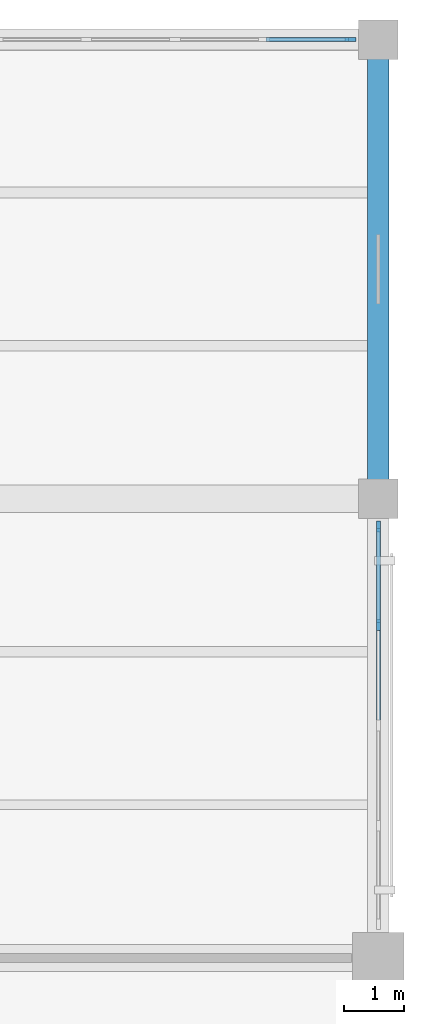
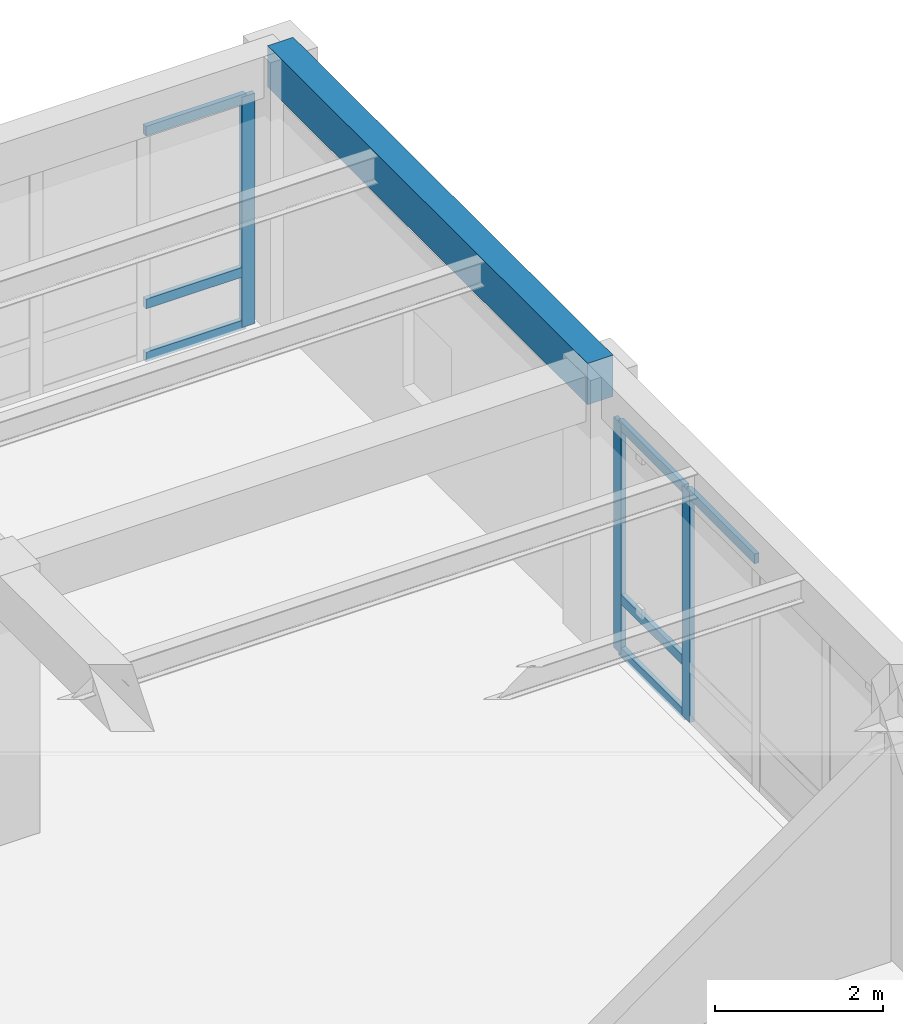
# One storey, part 6 of 17: 10 members, 1 beam, 2 elements without a shape of their own.
"""IFC4 building model written with IfcOpenShell, lengths in metres."""

from ifc_helpers import new_model, si_unit, direction, frame, origin, origin_2d, place, context, subcontext, project, spatial, rectangle, extrude, material, material_profile, profile_set, type_object, element, aggregate, save


model = new_model("IFC4")

# Units and contexts
model_context = context("Model", 3, precision=1e-05, world=origin(), true_north=direction((0.0, 1.0)))
body_context = subcontext(model_context, "Body", "Model", "MODEL_VIEW")
ifc_project = project(units=[si_unit("LENGTHUNIT", "METRE"), si_unit("AREAUNIT", "SQUARE_METRE"), si_unit("VOLUMEUNIT", "CUBIC_METRE"), si_unit("PLANEANGLEUNIT", "RADIAN"), si_unit("MASSUNIT", "GRAM", prefix="KILO")], contexts=[model_context])

# Site, building, storey
site_placement = place(None, origin())
site = spatial("IfcSite", under=ifc_project, at=site_placement, CompositionType="ELEMENT")
building_placement = place(site_placement, origin())
building = spatial("IfcBuilding", under=site, at=building_placement, Name="Qandaris Square Conservatory and Botanical Centre", CompositionType="ELEMENT")
storey_placement = place(building_placement, frame((0.0, 0.0, 28.199951171875)))
storey = spatial("IfcBuildingStorey", under=building, at=storey_placement, Name="L06", CompositionType="ELEMENT", Elevation=28.199951171875)

# Curtain wall, members
ifc_material_1 = material(Name="Anodised Aluminium", Category="aluminium")
curtain_wall_type_1 = type_object("IfcCurtainWallType", Name="Unitised Curtain Wall CW-4-665x334", PredefinedType="USERDEFINED", material=ifc_material_1)
curtain_wall_1_placement = place(storey_placement, origin())
curtain_wall_1 = element("IfcCurtainWall", 1, at=curtain_wall_1_placement, inside=storey, type_object=curtain_wall_type_1, Name="Curtain Wall CW-TWR-L06-2-7", ObjectType="GLAZED CURTAIN WALL", PredefinedType="USERDEFINED")
ifc_material_profile_1 = material_profile(ifc_material_1, rectangle(XDim=0.06494140625, YDim=0.179931640625, at=origin_2d()), Name="ALU-MUL 65x180")
ifc_profile_set_1 = profile_set([ifc_material_profile_1], Name="Anodised Aluminium")
member_type_1 = type_object("IfcMemberType", Name="Curtain Wall Mullion 65x180", PredefinedType="MULLION", material=ifc_profile_set_1)
member_1_placement = place(storey_placement, frame((163.800048828125, 67.71240234375, 0.0), z_axis=(0.0, 0.0, 1.0), x_axis=(-1.0, 0.0, 0.0)))
member_1 = element("IfcMember", 2, at=member_1_placement, type_object=member_type_1, Name="CW-4-665x334 mullion 4", PredefinedType="MULLION", context=body_context, shape_type="SweptSolid", body=[
    extrude(rectangle(XDim=0.06494140625, YDim=0.179931640625, at=origin_2d()), origin(), (0.0, 0.0, 1.0), 3.340087890625),
])
member_2_placement = place(storey_placement, frame((163.800048828125, 69.342529296875, 0.0), z_axis=(0.0, 0.0, 1.0), x_axis=(-1.0, 0.0, 0.0)))
member_2 = element("IfcMember", 3, at=member_2_placement, type_object=member_type_1, Name="CW-4-665x334 mullion 5", PredefinedType="MULLION", context=body_context, shape_type="SweptSolid", body=[
    extrude(rectangle(XDim=0.06494140625, YDim=0.179931640625, at=origin_2d()), origin(), (0.0, 0.0, 1.0), 3.340087890625),
])

# Curtain wall, member
curtain_wall_type_2 = type_object("IfcCurtainWallType", Name="Unitised Curtain Wall CW-3-735x334", PredefinedType="USERDEFINED", material=ifc_material_1)
curtain_wall_2_placement = place(storey_placement, origin())
curtain_wall_2 = element("IfcCurtainWall", 4, at=curtain_wall_2_placement, inside=storey, type_object=curtain_wall_type_2, Name="Curtain Wall CW-TWR-L06-3-1", ObjectType="GLAZED CURTAIN WALL", PredefinedType="USERDEFINED")
member_3_placement = place(storey_placement, frame((163.342529296875, 77.39990234375, 0.0), z_axis=(0.0, 0.0, 1.0), x_axis=(0.0, -1.0, 0.0)))
member_3 = element("IfcMember", 5, at=member_3_placement, type_object=member_type_1, Name="CW-3-735x334 mullion 1", PredefinedType="MULLION", context=body_context, shape_type="SweptSolid", body=[
    extrude(rectangle(XDim=0.06494140625, YDim=0.179931640625, at=origin_2d()), origin(), (0.0, 0.0, 1.0), 3.340087890625),
])

# Member
ifc_material_profile_2 = material_profile(ifc_material_1, rectangle(XDim=0.06494140625, YDim=0.139892578125, at=origin_2d()), Name="ALU-TRN 65x140")
ifc_profile_set_2 = profile_set([ifc_material_profile_2], Name="Anodised Aluminium")
member_type_2 = type_object("IfcMemberType", Name="Curtain Wall Transom 65x140", PredefinedType="USERDEFINED", material=ifc_profile_set_2)
member_4_placement = place(storey_placement, frame((163.800048828125, 66.08251953125, 3.3076171875), z_axis=(0.0, 1.0, 0.0), x_axis=(-1.0, 0.0, 0.0)))
member_4 = element("IfcMember", 6, at=member_4_placement, type_object=member_type_2, Name="CW-4-665x334 transom 3.3", ObjectType="TRANSOM", PredefinedType="USERDEFINED", context=body_context, shape_type="SweptSolid", body=[
    extrude(rectangle(XDim=0.06494140625, YDim=0.139892578125, at=origin_2d()), origin(), (0.0, 0.0, 1.0), 1.597412109375),
])

member_5_placement = place(storey_placement, frame((163.800048828125, 67.7451171875, 0.032470703125), z_axis=(0.0, 1.0, 0.0), x_axis=(-1.0, 0.0, 0.0)))
member_5 = element("IfcMember", 7, at=member_5_placement, type_object=member_type_2, Name="CW-4-665x334 transom 4.1", ObjectType="TRANSOM", PredefinedType="USERDEFINED", context=body_context, shape_type="SweptSolid", body=[
    extrude(rectangle(XDim=0.06494140625, YDim=0.139892578125, at=origin_2d()), origin(), (0.0, 0.0, 1.0), 1.56494140625),
])

member_6_placement = place(storey_placement, frame((163.800048828125, 67.7451171875, 0.8017578125), z_axis=(0.0, 1.0, 0.0), x_axis=(-1.0, 0.0, 0.0)))
member_6 = element("IfcMember", 8, at=member_6_placement, type_object=member_type_2, Name="CW-4-665x334 transom 4.2", ObjectType="TRANSOM", PredefinedType="USERDEFINED", context=body_context, shape_type="SweptSolid", body=[
    extrude(rectangle(XDim=0.06494140625, YDim=0.139892578125, at=origin_2d()), origin(), (0.0, 0.0, 1.0), 1.56494140625),
])

member_7_placement = place(storey_placement, frame((163.800048828125, 67.7451171875, 3.3076171875), z_axis=(0.0, 1.0, 0.0), x_axis=(-1.0, 0.0, 0.0)))
member_7 = element("IfcMember", 9, at=member_7_placement, type_object=member_type_2, Name="CW-4-665x334 transom 4.3", ObjectType="TRANSOM", PredefinedType="USERDEFINED", context=body_context, shape_type="SweptSolid", body=[
    extrude(rectangle(XDim=0.06494140625, YDim=0.139892578125, at=origin_2d()), origin(), (0.0, 0.0, 1.0), 1.56494140625),
])

aggregate(curtain_wall_1, [member_1, member_2, member_4, member_5, member_6, member_7])

member_8_placement = place(storey_placement, frame((163.31005859375, 77.39990234375, 0.032470703125), z_axis=(-1.0, 0.0, 0.0), x_axis=(0.0, -1.0, 0.0)))
member_8 = element("IfcMember", 10, at=member_8_placement, type_object=member_type_2, Name="CW-3-735x334 transom 1.1", ObjectType="TRANSOM", PredefinedType="USERDEFINED", context=body_context, shape_type="SweptSolid", body=[
    extrude(rectangle(XDim=0.06494140625, YDim=0.139892578125, at=origin_2d()), origin(), (0.0, 0.0, 1.0), 1.37255859375),
])

member_9_placement = place(storey_placement, frame((163.31005859375, 77.39990234375, 0.8017578125), z_axis=(-1.0, 0.0, 0.0), x_axis=(0.0, -1.0, 0.0)))
member_9 = element("IfcMember", 11, at=member_9_placement, type_object=member_type_2, Name="CW-3-735x334 transom 1.2", ObjectType="TRANSOM", PredefinedType="USERDEFINED", context=body_context, shape_type="SweptSolid", body=[
    extrude(rectangle(XDim=0.06494140625, YDim=0.139892578125, at=origin_2d()), origin(), (0.0, 0.0, 1.0), 1.37255859375),
])

member_10_placement = place(storey_placement, frame((163.31005859375, 77.39990234375, 3.3076171875), z_axis=(-1.0, 0.0, 0.0), x_axis=(0.0, -1.0, 0.0)))
member_10 = element("IfcMember", 12, at=member_10_placement, type_object=member_type_2, Name="CW-3-735x334 transom 1.3", ObjectType="TRANSOM", PredefinedType="USERDEFINED", context=body_context, shape_type="SweptSolid", body=[
    extrude(rectangle(XDim=0.06494140625, YDim=0.139892578125, at=origin_2d()), origin(), (0.0, 0.0, 1.0), 1.37255859375),
])

aggregate(curtain_wall_2, [member_3, member_8, member_9, member_10])

# Beam
ifc_material_2 = material(Name="Concrete C50/60", Category="concrete")
ifc_material_profile_3 = material_profile(ifc_material_2, rectangle(XDim=0.35009765625, YDim=0.60009765625, at=origin_2d()), Name="RC-SP 350x600")
ifc_profile_set_3 = profile_set([ifc_material_profile_3], Name="Concrete C50/60")
beam_type = type_object("IfcBeamType", Name="RC Edge Spandrel Beam 350x600", PredefinedType="SPANDREL", material=ifc_profile_set_3)
beam_placement = place(storey_placement, frame((163.800048828125, 69.800048828125, 3.64013671875), z_axis=(0.0, 1.0, 0.0), x_axis=(-1.0, 0.0, 0.0)))
element("IfcBeam", 13, at=beam_placement, inside=storey, type_object=beam_type, Name="L06 Frame Beam 2033", PredefinedType="SPANDREL", context=body_context, shape_type="SweptSolid", body=[
    extrude(rectangle(XDim=0.35009765625, YDim=0.60009765625, at=origin_2d()), origin(), (0.0, 0.0, 1.0), 7.599853515625),
])

save(model, "model.ifc")
